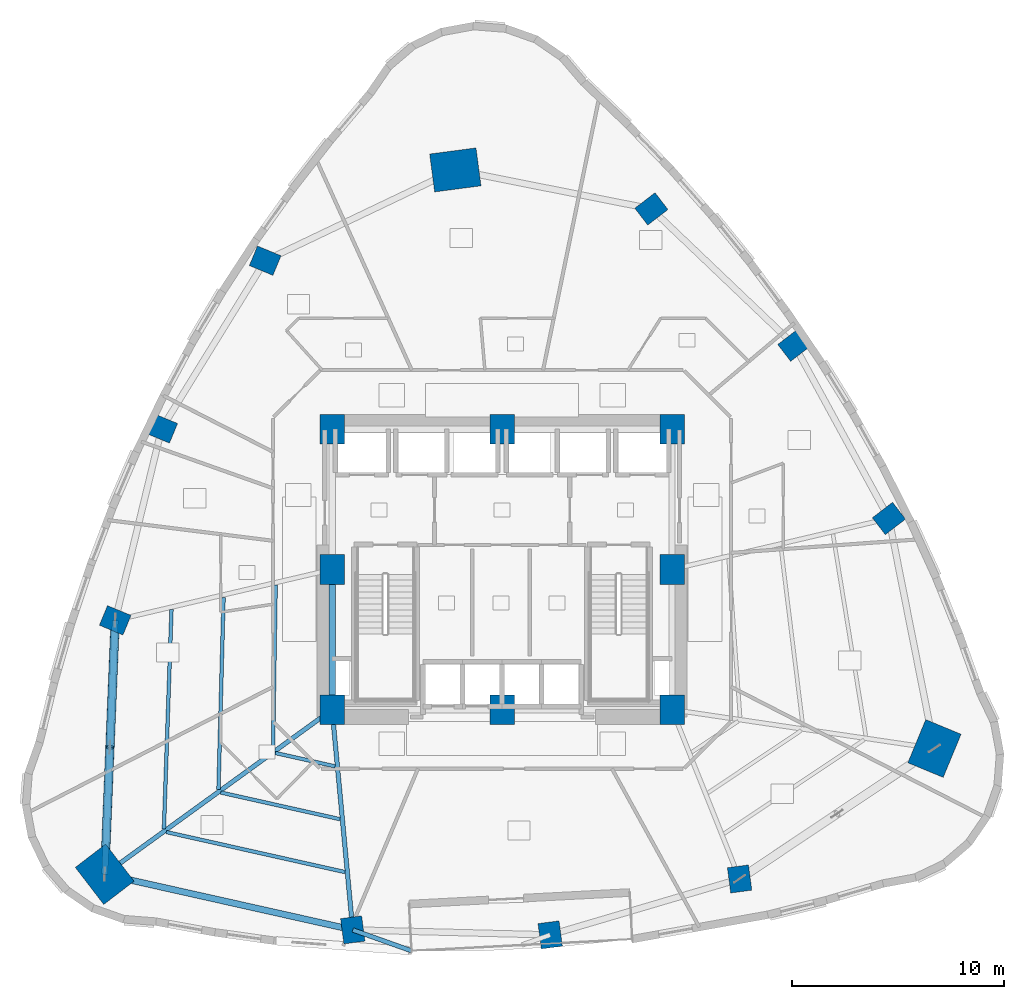
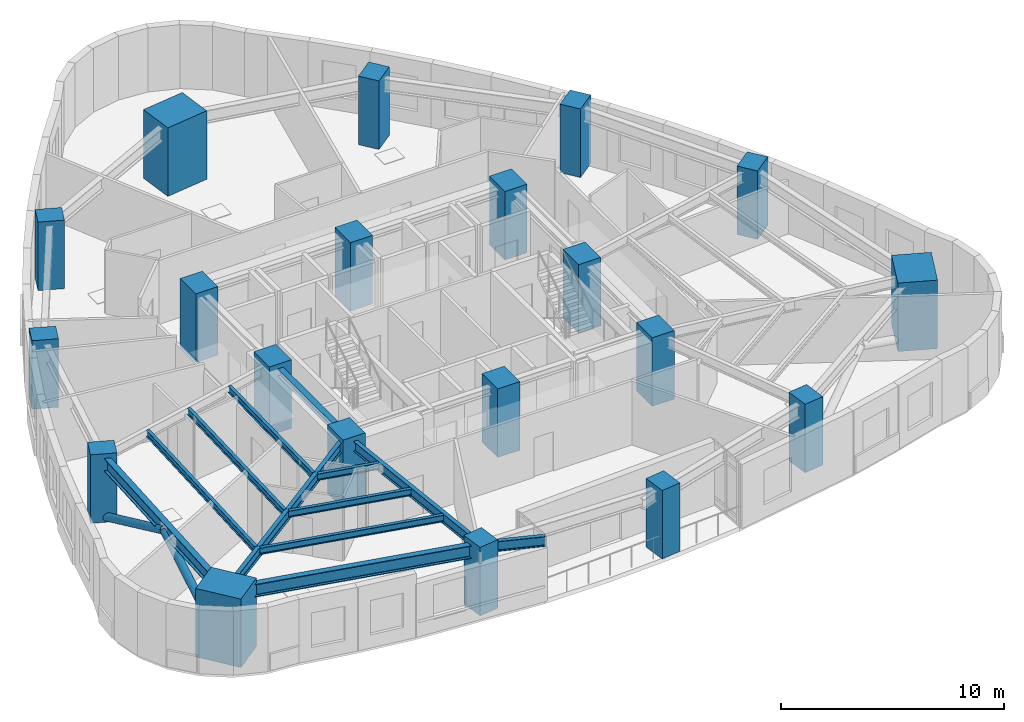
# One storey, part 1 of 11: 20 columns, 12 beams, 2 members.
"""IFC4 building model written with IfcOpenShell, lengths in metres."""

from ifc_helpers import new_model, si_unit, direction, frame, origin, origin_2d, place, context, subcontext, project, spatial, rectangle, hollow_circle, i_section, extrude, material, material_profile, profile_set, type_object, element, save


model = new_model("IFC4")

# Units and contexts
model_context = context("Model", 3, precision=1e-05, world=origin(), true_north=direction((0.0, 1.0)))
body_context = subcontext(model_context, "Body", "Model", "MODEL_VIEW")
ifc_project = project(units=[si_unit("LENGTHUNIT", "METRE"), si_unit("AREAUNIT", "SQUARE_METRE"), si_unit("VOLUMEUNIT", "CUBIC_METRE"), si_unit("PLANEANGLEUNIT", "RADIAN"), si_unit("MASSUNIT", "GRAM", prefix="KILO")], contexts=[model_context])

# Site, building, storey
site_placement = place(None, origin())
site = spatial("IfcSite", under=ifc_project, at=site_placement, CompositionType="ELEMENT")
building_placement = place(site_placement, origin())
building = spatial("IfcBuilding", under=site, at=building_placement, Name="Ndelora Gate Hotel", CompositionType="ELEMENT")
storey_placement = place(building_placement, frame((0.0, 0.0, 49.25)))
storey = spatial("IfcBuildingStorey", under=building, at=storey_placement, Name="L11", CompositionType="ELEMENT", Elevation=49.25)

# Columns
ifc_material_1 = material(Name="Concrete C60/75", Category="concrete")
ifc_material_profile_1 = material_profile(ifc_material_1, rectangle(XDim=1.14990234375, YDim=1.39990234375, at=origin_2d()), Name="RC 1400x1150")
ifc_profile_set_1 = profile_set([ifc_material_profile_1], Name="Concrete C60/75")
column_type_1 = type_object("IfcColumnType", Name="COL-CC-LOW", PredefinedType="COLUMN", material=ifc_profile_set_1)
for number, where, z_axis, x_axis, name in (
    (1, (-8.0, -6.60009765625, 0.0), (0.0, 0.0, 1.0), (1.0, 0.0, 0.0), "L11 Core Column CC1"),
    (2, (0.0, -6.60009765625, 0.0), (0.0, 0.0, 1.0), (1.0, 0.0, 0.0), "L11 Core Column CC2"),
    (3, (8.0, -6.60009765625, 0.0), (0.0, 0.0, 1.0), (1.0, 0.0, 0.0), "L11 Core Column CC3"),
    (4, (8.0, 0.0, 0.0), (0.0, 0.0, 1.0), (1.0, 0.0, 0.0), "L11 Core Column CC4"),
    (5, (8.0, 6.60009765625, 0.0), (0.0, 0.0, 1.0), (1.0, 0.0, 0.0), "L11 Core Column CC5"),
    (6, (0.0, 6.60009765625, 0.0), (0.0, 0.0, 1.0), (1.0, 0.0, 0.0), "L11 Core Column CC6"),
    (7, (-8.0, 6.60009765625, 0.0), (0.0, 0.0, 1.0), (1.0, 0.0, 0.0), "L11 Core Column CC7"),
    (8, (-8.0, 0.0, 0.0), (0.0, 0.0, 1.0), (1.0, 0.0, 0.0), "L11 Core Column CC8"),
):
    element("IfcColumn", number, at=place(storey_placement, frame(where, z_axis=z_axis, x_axis=x_axis)), inside=storey, type_object=column_type_1, Name=name, PredefinedType="COLUMN", context=body_context, shape_type="SweptSolid", body=[
        extrude(rectangle(XDim=1.14990234375, YDim=1.39990234375, at=origin_2d()), origin(), (0.0, 0.0, 1.0), 3.75),
    ])
ifc_material_profile_2 = material_profile(ifc_material_1, rectangle(XDim=1.800048828125, YDim=2.199951171875, at=origin_2d()), Name="RC 2200x1800")
ifc_profile_set_2 = profile_set([ifc_material_profile_2], Name="Concrete C60/75")
column_type_2 = type_object("IfcColumnType", Name="COL-MC-Z1", PredefinedType="COLUMN", material=ifc_profile_set_2)
for number, where, z_axis, x_axis, name in (
    (9, (-2.199951171875, 18.800048828125, 0.0), (0.0, 0.0, 1.0), (-0.13052619222, 0.991444861374, 0.0), "L11 Corner Mega-Column R1"),
    (10, (-18.701904296875, -14.3505859375, 0.0), (0.0, 0.0, 1.0), (0.793353340291, 0.608761429009, 0.0), "L11 Corner Mega-Column R5"),
    (11, (20.35009765625, -8.42919921875, 0.0), (0.0, 0.0, 1.0), (-0.923879532511, 0.382683432365, 0.0), "L11 Corner Mega-Column R9"),
):
    element("IfcColumn", number, at=place(storey_placement, frame(where, z_axis=z_axis, x_axis=x_axis)), inside=storey, type_object=column_type_2, Name=name, PredefinedType="COLUMN", context=body_context, shape_type="SweptSolid", body=[
        extrude(rectangle(XDim=1.800048828125, YDim=2.199951171875, at=origin_2d()), origin(), (0.0, 0.0, 1.0), 3.75),
    ])
ifc_material_profile_3 = material_profile(ifc_material_1, rectangle(XDim=1.0, YDim=1.199951171875, at=origin_2d()), Name="RC 1200x1000")
ifc_profile_set_3 = profile_set([ifc_material_profile_3], Name="Concrete C60/75")
column_type_3 = type_object("IfcColumnType", Name="COL-PT-Z1", PredefinedType="COLUMN", material=ifc_profile_set_3)
for number, where, z_axis, x_axis, name in (
    (12, (-11.1484375, 14.529052734375, 0.0), (0.0, 0.0, 1.0), (0.382683432365, 0.923879532511, 0.0), "L11 Perimeter Tube Column R2"),
    (13, (-16.016845703125, 6.634521484375, 0.0), (0.0, 0.0, 1.0), (0.382683432365, 0.923879532511, 0.0), "L11 Perimeter Tube Column R3"),
    (14, (-18.207275390625, -2.39697265625, 0.0), (0.0, 0.0, 1.0), (0.382683432365, 0.923879532511, 0.0), "L11 Perimeter Tube Column R4"),
    (15, (-7.027587890625, -16.96630859375, 0.0), (0.0, 0.0, 1.0), (0.991444861374, 0.13052619222, 0.0), "L11 Perimeter Tube Column R6"),
    (16, (2.2646484375, -17.20166015625, 0.0), (0.0, 0.0, 1.0), (0.991444861374, 0.13052619222, 0.0), "L11 Perimeter Tube Column R7"),
    (17, (11.179443359375, -14.5693359375, 0.0), (0.0, 0.0, 1.0), (0.991444861374, 0.13052619222, 0.0), "L11 Perimeter Tube Column R8"),
    (18, (18.207275390625, 2.39697265625, 0.0), (0.0, 0.0, 1.0), (-0.608761429009, 0.793353340291, 0.0), "L11 Perimeter Tube Column R10"),
    (19, (13.75390625, 10.5537109375, 0.0), (0.0, 0.0, 1.0), (-0.608761429009, 0.793353340291, 0.0), "L11 Perimeter Tube Column R11"),
    (20, (7.027587890625, 16.96630859375, 0.0), (0.0, 0.0, 1.0), (-0.608761429009, 0.793353340291, 0.0), "L11 Perimeter Tube Column R12"),
):
    element("IfcColumn", number, at=place(storey_placement, frame(where, z_axis=z_axis, x_axis=x_axis)), inside=storey, type_object=column_type_3, Name=name, PredefinedType="COLUMN", context=body_context, shape_type="SweptSolid", body=[
        extrude(rectangle(XDim=1.0, YDim=1.199951171875, at=origin_2d()), origin(), (0.0, 0.0, 1.0), 3.75),
    ])

# Beams
ifc_material_2 = material(Name="Steel S355", Category="steel")
ifc_material_profile_4 = material_profile(ifc_material_2, i_section(OverallWidth=0.300048828125, OverallDepth=0.39990234375, WebThickness=0.013427734375, FlangeThickness=0.02392578125, FilletRadius=0.027099609375, at=origin_2d()), Name="HEB 400")
ifc_profile_set_4 = profile_set([ifc_material_profile_4], Name="Steel S355")
beam_type_1 = type_object("IfcBeamType", Name="BM-CORE-400", PredefinedType="BEAM", material=ifc_profile_set_4)
beam_1_placement = place(storey_placement, frame((-8.0, -6.60009765625, 3.300048828125), z_axis=(0.0, 1.0, 0.0), x_axis=(-1.0, 0.0, 0.0)))
element("IfcBeam", 21, at=beam_1_placement, inside=storey, type_object=beam_type_1, Name="L11 Core Tie Girder CC1-CC8", PredefinedType="BEAM", context=body_context, shape_type="SweptSolid", body=[
    extrude(i_section(OverallWidth=0.300048828125, OverallDepth=0.39990234375, WebThickness=0.013427734375, FlangeThickness=0.02392578125, FilletRadius=0.027099609375, at=origin_2d()), origin(), (0.0, 0.0, 1.0), 6.60009765625),
])
ifc_material_profile_5 = material_profile(ifc_material_2, i_section(OverallWidth=0.169921875, OverallDepth=0.360107421875, WebThickness=0.008056640625, FlangeThickness=0.0126953125, FilletRadius=0.01806640625, at=origin_2d()), Name="IPE 360")
ifc_profile_set_5 = profile_set([ifc_material_profile_5], Name="Steel S355")
beam_type_2 = type_object("IfcBeamType", Name="BM-JST-360", PredefinedType="JOIST", material=ifc_profile_set_5)
beam_2_placement = place(storey_placement, frame((-10.65576171875, -0.73828125, 3.320068359375), z_axis=(-0.016071150123, -0.999870850727, 0.0), x_axis=(0.999870850727, -0.016071150123, 0.0)))
element("IfcBeam", 22, at=beam_2_placement, inside=storey, type_object=beam_type_2, Name="L11 Secondary Composite Floor Joist IN-4", PredefinedType="JOIST", context=body_context, shape_type="SweptSolid", body=[
    extrude(i_section(OverallWidth=0.169921875, OverallDepth=0.360107421875, WebThickness=0.008056640625, FlangeThickness=0.0126953125, FilletRadius=0.01806640625, at=origin_2d()), origin(), (0.0, 0.0, 1.0), 7.7626953125),
])
beam_3_placement = place(storey_placement, frame((-13.106689453125, -1.3134765625, 3.320068359375), z_axis=(-0.02665287705, -0.999644748971, 0.0), x_axis=(0.999644748971, -0.02665287705, 0.0)))
element("IfcBeam", 23, at=beam_3_placement, inside=storey, type_object=beam_type_2, Name="L11 Secondary Composite Floor Joist MID-4", PredefinedType="JOIST", context=body_context, shape_type="SweptSolid", body=[
    extrude(i_section(OverallWidth=0.169921875, OverallDepth=0.360107421875, WebThickness=0.008056640625, FlangeThickness=0.0126953125, FilletRadius=0.01806640625, at=origin_2d()), origin(), (0.0, 0.0, 1.0), 9.050048828125),
])
beam_4_placement = place(storey_placement, frame((-15.557373046875, -1.888671875, 3.320068359375), z_axis=(-0.034620883261, -0.999400517532, 0.0), x_axis=(0.999400517532, -0.034620883261, 0.0)))
element("IfcBeam", 24, at=beam_4_placement, inside=storey, type_object=beam_type_2, Name="L11 Secondary Composite Floor Joist OUT-4", PredefinedType="JOIST", context=body_context, shape_type="SweptSolid", body=[
    extrude(i_section(OverallWidth=0.169921875, OverallDepth=0.360107421875, WebThickness=0.008056640625, FlangeThickness=0.0126953125, FilletRadius=0.01806640625, at=origin_2d()), origin(), (0.0, 0.0, 1.0), 10.337890625),
])
beam_5_placement = place(storey_placement, frame((-10.67041015625, -8.640380859375, 3.320068359375), z_axis=(0.975820751938, -0.218572322325, 0.0), x_axis=(0.218572322325, 0.975820751938, 0.0)))
element("IfcBeam", 25, at=beam_5_placement, inside=storey, type_object=beam_type_2, Name="L11 Secondary Composite Floor Joist IN-5", PredefinedType="JOIST", context=body_context, shape_type="SweptSolid", body=[
    extrude(i_section(OverallWidth=0.169921875, OverallDepth=0.360107421875, WebThickness=0.008056640625, FlangeThickness=0.0126953125, FilletRadius=0.01806640625, at=origin_2d()), origin(), (0.0, 0.0, 1.0), 2.880615234375),
])
beam_6_placement = place(storey_placement, frame((-13.23876953125, -10.50048828125, 3.320068359375), z_axis=(0.975805037012, -0.218642470123, 0.0), x_axis=(0.218642470123, 0.975805037012, 0.0)))
element("IfcBeam", 26, at=beam_6_placement, inside=storey, type_object=beam_type_2, Name="L11 Secondary Composite Floor Joist MID-5", PredefinedType="JOIST", context=body_context, shape_type="SweptSolid", body=[
    extrude(i_section(OverallWidth=0.169921875, OverallDepth=0.360107421875, WebThickness=0.008056640625, FlangeThickness=0.0126953125, FilletRadius=0.01806640625, at=origin_2d()), origin(), (0.0, 0.0, 1.0), 5.751708984375),
])
beam_7_placement = place(storey_placement, frame((-15.80712890625, -12.360595703125, 3.320068359375), z_axis=(0.975802493229, -0.218653822759, 0.0), x_axis=(0.218653822759, 0.975802493229, 0.0)))
element("IfcBeam", 27, at=beam_7_placement, inside=storey, type_object=beam_type_2, Name="L11 Secondary Composite Floor Joist OUT-5", PredefinedType="JOIST", context=body_context, shape_type="SweptSolid", body=[
    extrude(i_section(OverallWidth=0.169921875, OverallDepth=0.360107421875, WebThickness=0.008056640625, FlangeThickness=0.0126953125, FilletRadius=0.01806640625, at=origin_2d()), origin(), (0.0, 0.0, 1.0), 8.623291015625),
])
ifc_material_profile_6 = material_profile(ifc_material_2, i_section(OverallWidth=0.2099609375, OverallDepth=0.550048828125, WebThickness=0.010986328125, FlangeThickness=0.01708984375, FilletRadius=0.02392578125, at=origin_2d()), Name="IPE 550")
ifc_profile_set_6 = profile_set([ifc_material_profile_6], Name="Steel S355")
beam_type_3 = type_object("IfcBeamType", Name="BM-RAD-550", PredefinedType="BEAM", material=ifc_profile_set_6)
beam_8_placement = place(storey_placement, frame((-8.0, -6.60009765625, 3.22509765625), z_axis=(-0.809912157619, -0.586551188679, 0.0), x_axis=(0.586551188679, -0.809912157619, 0.0)))
element("IfcBeam", 28, at=beam_8_placement, inside=storey, type_object=beam_type_3, Name="L11 Radial Floor Girder 5", PredefinedType="BEAM", context=body_context, shape_type="SweptSolid", body=[
    extrude(i_section(OverallWidth=0.2099609375, OverallDepth=0.550048828125, WebThickness=0.010986328125, FlangeThickness=0.01708984375, FilletRadius=0.02392578125, at=origin_2d()), origin(), (0.0, 0.0, 1.0), 13.213623046875),
])
beam_9_placement = place(storey_placement, frame((-8.0, -6.60009765625, 3.22509765625), z_axis=(0.093395913855, -0.995629049031, 0.0), x_axis=(0.995629049031, 0.093395913855, 0.0)))
element("IfcBeam", 29, at=beam_9_placement, inside=storey, type_object=beam_type_3, Name="L11 Radial Floor Girder 6", PredefinedType="BEAM", context=body_context, shape_type="SweptSolid", body=[
    extrude(i_section(OverallWidth=0.2099609375, OverallDepth=0.550048828125, WebThickness=0.010986328125, FlangeThickness=0.01708984375, FilletRadius=0.02392578125, at=origin_2d()), origin(), (0.0, 0.0, 1.0), 10.41162109375),
])
beam_10_placement = place(storey_placement, frame((-7.027587890625, -16.96630859375, 3.22509765625), z_axis=(0.942039285358, -0.335502585448, 0.0), x_axis=(0.335502585448, 0.942039285358, 0.0)))
element("IfcBeam", 30, at=beam_10_placement, inside=storey, type_object=beam_type_3, Name="L11 Sky-Garden Loggia Column Bracket 1", PredefinedType="BEAM", context=body_context, shape_type="SweptSolid", body=[
    extrude(i_section(OverallWidth=0.2099609375, OverallDepth=0.550048828125, WebThickness=0.010986328125, FlangeThickness=0.01708984375, FilletRadius=0.02392578125, at=origin_2d()), origin(), (0.0, 0.0, 1.0), 2.93115234375),
])
ifc_material_profile_7 = material_profile(ifc_material_2, i_section(OverallWidth=0.300048828125, OverallDepth=0.699951171875, WebThickness=0.01708984375, FlangeThickness=0.031982421875, FilletRadius=0.027099609375, at=origin_2d()), Name="HEB 700")
ifc_profile_set_7 = profile_set([ifc_material_profile_7], Name="Steel S355")
beam_type_4 = type_object("IfcBeamType", Name="BM-RING-700", PredefinedType="SPANDREL", material=ifc_profile_set_7)
for number, where, z_axis, x_axis, name in (
    (31, (-18.207275390625, -2.39697265625, 3.14990234375), (-0.041343648978, -0.99914498582, 0.0), (0.99914498582, -0.041343648978, 0.0), "L11 Perimeter Spandrel Girder 4"),
    (32, (-18.701904296875, -14.3505859375, 3.14990234375), (0.97580624377, -0.218637084273, 0.0), (0.218637084273, 0.97580624377, 0.0), "L11 Perimeter Spandrel Girder 5"),
):
    element("IfcBeam", number, at=place(storey_placement, frame(where, z_axis=z_axis, x_axis=x_axis)), inside=storey, type_object=beam_type_4, Name=name, PredefinedType="SPANDREL", context=body_context, shape_type="SweptSolid", body=[
        extrude(i_section(OverallWidth=0.300048828125, OverallDepth=0.699951171875, WebThickness=0.01708984375, FlangeThickness=0.031982421875, FilletRadius=0.027099609375, at=origin_2d()), origin(), (0.0, 0.0, 1.0), 11.9638671875),
    ])

# Members
ifc_material_profile_8 = material_profile(ifc_material_2, hollow_circle(Radius=0.202880859375, WallThickness=0.02001953125, at=origin_2d()), Name="CHS 406x20")
ifc_profile_set_8 = profile_set([ifc_material_profile_8], Name="Steel S355")
member_type = type_object("IfcMemberType", Name="MB-TUBE-406", PredefinedType="BRACE", material=ifc_profile_set_8)
for number, where, z_axis, x_axis, name in (
    (33, (-18.207275390625, -2.39697265625, 0.02001953125), (-0.037129162341, -0.897294198679, 0.439868783071), (0.99914498582, -0.041343648978, 0.0), "L11 Perimeter Braced-Tube Diagonal 4A"),
    (34, (-18.701904296875, -14.3505859375, 0.02001953125), (0.037129162341, 0.897294198679, 0.439868783071), (-0.99914498582, 0.041343648978, 0.0), "L11 Perimeter Braced-Tube Diagonal 4B"),
):
    element("IfcMember", number, at=place(storey_placement, frame(where, z_axis=z_axis, x_axis=x_axis)), inside=storey, type_object=member_type, Name=name, PredefinedType="BRACE", context=body_context, shape_type="SweptSolid", body=[
        extrude(hollow_circle(Radius=0.202880859375, WallThickness=0.02001953125, at=origin_2d()), origin(), (0.0, 0.0, 1.0), 6.660888671875),
    ])

save(model, "model.ifc")
